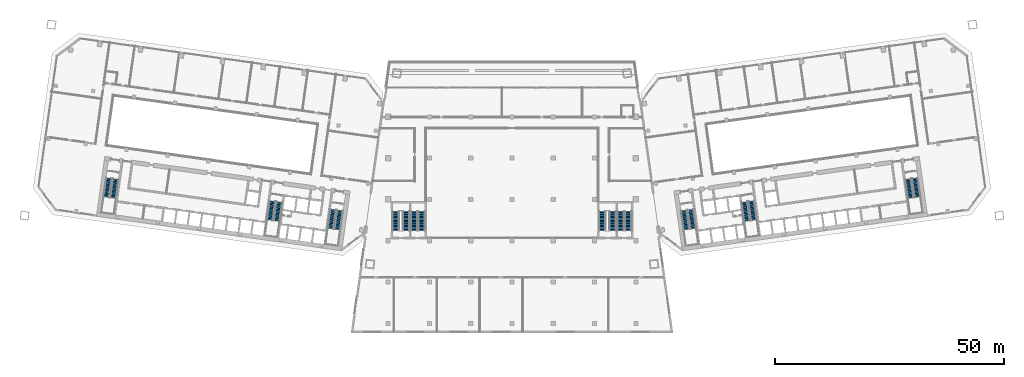
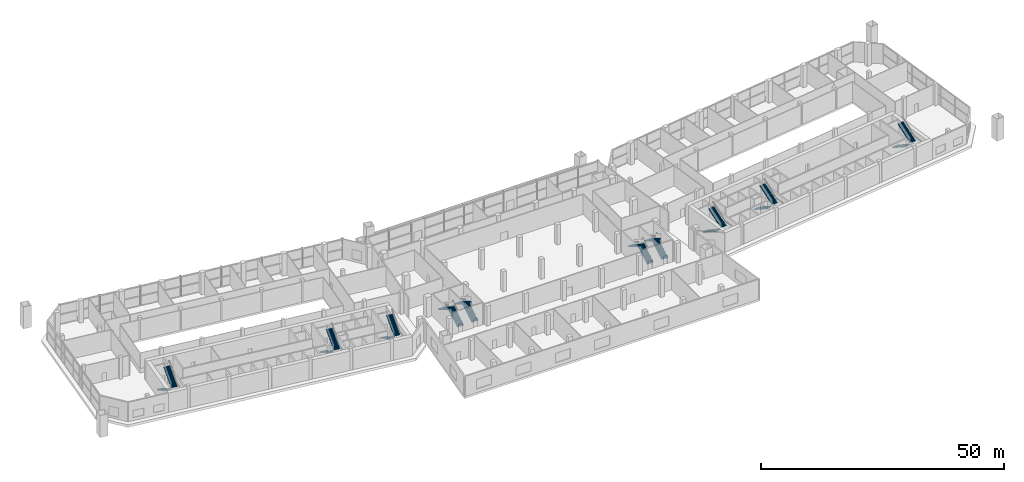
# One storey, part 19 of 23: 20 stair flights, 10 elements without a shape of their own.
"""IFC4 building model written with IfcOpenShell, lengths in metres."""

from ifc_helpers import new_model, si_unit, direction, frame, origin, place, context, subcontext, project, spatial, polyline, outline, extrude, material, type_object, element, aggregate, save


model = new_model("IFC4")

# Units and contexts
model_context = context("Model", 3, precision=1e-05, world=origin(), true_north=direction((0.0, 1.0)))
body_context = subcontext(model_context, "Body", "Model", "MODEL_VIEW")
ifc_project = project(units=[si_unit("LENGTHUNIT", "METRE"), si_unit("AREAUNIT", "SQUARE_METRE"), si_unit("VOLUMEUNIT", "CUBIC_METRE"), si_unit("PLANEANGLEUNIT", "RADIAN"), si_unit("MASSUNIT", "GRAM", prefix="KILO")], contexts=[model_context])

# Site, building, storey
site_placement = place(None, origin())
site = spatial("IfcSite", under=ifc_project, at=site_placement, CompositionType="ELEMENT")
building_placement = place(site_placement, origin())
building = spatial("IfcBuilding", under=site, at=building_placement, Name="Mirante Cascada Hotel Towers", CompositionType="ELEMENT")
storey_placement = place(building_placement, frame((0.0, 0.0, 23.5)))
storey = spatial("IfcBuildingStorey", under=building, at=storey_placement, Name="L03", CompositionType="ELEMENT", Elevation=23.5)

# Stair, stair flights
ifc_material_1 = material(Name="Concrete C35/45", Category="concrete")
stair_type_1 = type_object("IfcStairType", Name="Exit stair half-turn 1350 concrete C35/45", PredefinedType="HALF_TURN_STAIR", material=ifc_material_1)
stair_1_placement = place(storey_placement, origin())
stair_1 = element("IfcStair", 1, at=stair_1_placement, inside=storey, type_object=stair_type_1, Name="L03 Exit stair A", PredefinedType="HALF_TURN_STAIR")
ifc_material_2 = material(Name="Concrete C35/45", Category="concrete")
stair_flight_type_1 = type_object("IfcStairFlightType", Name="Exit stair flight 1350 concrete C35/45", PredefinedType="STRAIGHT", material=ifc_material_2)
stair_flight_1_placement = place(storey_placement, frame((-38.9417, -11.195, 0.0), z_axis=(0.0, 0.0, 1.0), x_axis=(-0.1391731, -0.9902681, 0.0)))
stair_flight_1 = element("IfcStairFlight", 2, at=stair_flight_1_placement, type_object=stair_flight_type_1, Name="ST1-A flight 1", NumberOfRisers=16, NumberOfTreads=15, PredefinedType="STRAIGHT", RiserHeight=0.171875, TreadLength=0.28, context=body_context, shape_type="SweptSolid", body=[
    extrude(outline(polyline([(0.0, 0.0), (0.0, 0.1719), (0.28, 0.1719), (0.28, 0.3438), (0.56, 0.3438), (0.56, 0.5156), (0.84, 0.5156), (0.84, 0.6875), (1.12, 0.6875), (1.12, 0.8594), (1.4, 0.8594), (1.4, 1.0312), (1.68, 1.0312), (1.68, 1.2031), (1.96, 1.2031), (1.96, 1.375), (2.24, 1.375), (2.24, 1.5469), (2.52, 1.5469), (2.52, 1.7188), (2.8, 1.7188), (2.8, 1.8906), (3.08, 1.8906), (3.08, 2.0625), (3.36, 2.0625), (3.36, 2.2344), (3.64, 2.2344), (3.64, 2.4062), (3.92, 2.4062), (3.92, 2.5781), (4.2, 2.5781), (4.2, 2.75), (4.2, 2.4021), (0.2867, 0.0), (0.0, 0.0)])), frame((0.0, 0.675, 0.0), z_axis=(0.0, -1.0, 0.0), x_axis=(1.0, 0.0, 0.0)), (0.0, 0.0, 1.0), 1.35),
])
stair_flight_2_placement = place(storey_placement, frame((-38.0408, -15.5629, 2.75), z_axis=(0.0, 0.0, 1.0), x_axis=(0.1391731, 0.9902681, 0.0)))
stair_flight_2 = element("IfcStairFlight", 3, at=stair_flight_2_placement, type_object=stair_flight_type_1, Name="ST1-A flight 2", NumberOfRisers=16, NumberOfTreads=15, PredefinedType="STRAIGHT", RiserHeight=0.171875, TreadLength=0.28, context=body_context, shape_type="SweptSolid", body=[
    extrude(outline(polyline([(0.0, 0.0), (0.0, 0.1719), (0.28, 0.1719), (0.28, 0.3438), (0.56, 0.3438), (0.56, 0.5156), (0.84, 0.5156), (0.84, 0.6875), (1.12, 0.6875), (1.12, 0.8594), (1.4, 0.8594), (1.4, 1.0312), (1.68, 1.0312), (1.68, 1.2031), (1.96, 1.2031), (1.96, 1.375), (2.24, 1.375), (2.24, 1.5469), (2.52, 1.5469), (2.52, 1.7188), (2.8, 1.7188), (2.8, 1.8906), (3.08, 1.8906), (3.08, 2.0625), (3.36, 2.0625), (3.36, 2.2344), (3.64, 2.2344), (3.64, 2.4062), (3.92, 2.4062), (3.92, 2.5781), (4.2, 2.5781), (4.2, 2.75), (4.2, 2.4021), (0.2867, 0.0), (0.0, 0.0)])), frame((0.0, 0.675, 0.0), z_axis=(0.0, -1.0, 0.0), x_axis=(1.0, 0.0, 0.0)), (0.0, 0.0, 1.0), 1.35),
])
aggregate(stair_1, [stair_flight_1, stair_flight_2])

stair_2_placement = place(storey_placement, origin())
stair_2 = element("IfcStair", 4, at=stair_2_placement, inside=storey, type_object=stair_type_1, Name="L03 Exit stair B", PredefinedType="HALF_TURN_STAIR")
stair_flight_3_placement = place(storey_placement, frame((-52.1618, -9.3371, 0.0), z_axis=(0.0, 0.0, 1.0), x_axis=(-0.1391731, -0.9902681, 0.0)))
stair_flight_3 = element("IfcStairFlight", 5, at=stair_flight_3_placement, type_object=stair_flight_type_1, Name="ST1-B flight 1", NumberOfRisers=16, NumberOfTreads=15, PredefinedType="STRAIGHT", RiserHeight=0.171875, TreadLength=0.28, context=body_context, shape_type="SweptSolid", body=[
    extrude(outline(polyline([(0.0, 0.0), (0.0, 0.1719), (0.28, 0.1719), (0.28, 0.3438), (0.56, 0.3438), (0.56, 0.5156), (0.84, 0.5156), (0.84, 0.6875), (1.12, 0.6875), (1.12, 0.8594), (1.4, 0.8594), (1.4, 1.0312), (1.68, 1.0312), (1.68, 1.2031), (1.96, 1.2031), (1.96, 1.375), (2.24, 1.375), (2.24, 1.5469), (2.52, 1.5469), (2.52, 1.7188), (2.8, 1.7188), (2.8, 1.8906), (3.08, 1.8906), (3.08, 2.0625), (3.36, 2.0625), (3.36, 2.2344), (3.64, 2.2344), (3.64, 2.4062), (3.92, 2.4062), (3.92, 2.5781), (4.2, 2.5781), (4.2, 2.75), (4.2, 2.4021), (0.2867, 0.0), (0.0, 0.0)])), frame((0.0, 0.675, 0.0), z_axis=(0.0, -1.0, 0.0), x_axis=(1.0, 0.0, 0.0)), (0.0, 0.0, 1.0), 1.35),
])
stair_flight_4_placement = place(storey_placement, frame((-51.2609, -13.705, 2.75), z_axis=(0.0, 0.0, 1.0), x_axis=(0.1391731, 0.9902681, 0.0)))
stair_flight_4 = element("IfcStairFlight", 6, at=stair_flight_4_placement, type_object=stair_flight_type_1, Name="ST1-B flight 2", NumberOfRisers=16, NumberOfTreads=15, PredefinedType="STRAIGHT", RiserHeight=0.171875, TreadLength=0.28, context=body_context, shape_type="SweptSolid", body=[
    extrude(outline(polyline([(0.0, 0.0), (0.0, 0.1719), (0.28, 0.1719), (0.28, 0.3438), (0.56, 0.3438), (0.56, 0.5156), (0.84, 0.5156), (0.84, 0.6875), (1.12, 0.6875), (1.12, 0.8594), (1.4, 0.8594), (1.4, 1.0312), (1.68, 1.0312), (1.68, 1.2031), (1.96, 1.2031), (1.96, 1.375), (2.24, 1.375), (2.24, 1.5469), (2.52, 1.5469), (2.52, 1.7188), (2.8, 1.7188), (2.8, 1.8906), (3.08, 1.8906), (3.08, 2.0625), (3.36, 2.0625), (3.36, 2.2344), (3.64, 2.2344), (3.64, 2.4062), (3.92, 2.4062), (3.92, 2.5781), (4.2, 2.5781), (4.2, 2.75), (4.2, 2.4021), (0.2867, 0.0), (0.0, 0.0)])), frame((0.0, 0.675, 0.0), z_axis=(0.0, -1.0, 0.0), x_axis=(1.0, 0.0, 0.0)), (0.0, 0.0, 1.0), 1.35),
])
aggregate(stair_2, [stair_flight_3, stair_flight_4])

stair_3_placement = place(storey_placement, origin())
stair_3 = element("IfcStair", 7, at=stair_3_placement, inside=storey, type_object=stair_type_1, Name="L03 Exit stair C", PredefinedType="HALF_TURN_STAIR")
stair_flight_5_placement = place(storey_placement, frame((-87.8115, -4.3268, 0.0), z_axis=(0.0, 0.0, 1.0), x_axis=(-0.1391731, -0.9902681, 0.0)))
stair_flight_5 = element("IfcStairFlight", 8, at=stair_flight_5_placement, type_object=stair_flight_type_1, Name="ST1-C flight 1", NumberOfRisers=16, NumberOfTreads=15, PredefinedType="STRAIGHT", RiserHeight=0.171875, TreadLength=0.28, context=body_context, shape_type="SweptSolid", body=[
    extrude(outline(polyline([(0.0, 0.0), (0.0, 0.1719), (0.28, 0.1719), (0.28, 0.3438), (0.56, 0.3438), (0.56, 0.5156), (0.84, 0.5156), (0.84, 0.6875), (1.12, 0.6875), (1.12, 0.8594), (1.4, 0.8594), (1.4, 1.0312), (1.68, 1.0312), (1.68, 1.2031), (1.96, 1.2031), (1.96, 1.375), (2.24, 1.375), (2.24, 1.5469), (2.52, 1.5469), (2.52, 1.7188), (2.8, 1.7188), (2.8, 1.8906), (3.08, 1.8906), (3.08, 2.0625), (3.36, 2.0625), (3.36, 2.2344), (3.64, 2.2344), (3.64, 2.4062), (3.92, 2.4062), (3.92, 2.5781), (4.2, 2.5781), (4.2, 2.75), (4.2, 2.4021), (0.2867, 0.0), (0.0, 0.0)])), frame((0.0, 0.675, 0.0), z_axis=(0.0, -1.0, 0.0), x_axis=(1.0, 0.0, 0.0)), (0.0, 0.0, 1.0), 1.35),
])
stair_flight_6_placement = place(storey_placement, frame((-86.9106, -8.6947, 2.75), z_axis=(0.0, 0.0, 1.0), x_axis=(0.1391731, 0.9902681, 0.0)))
stair_flight_6 = element("IfcStairFlight", 9, at=stair_flight_6_placement, type_object=stair_flight_type_1, Name="ST1-C flight 2", NumberOfRisers=16, NumberOfTreads=15, PredefinedType="STRAIGHT", RiserHeight=0.171875, TreadLength=0.28, context=body_context, shape_type="SweptSolid", body=[
    extrude(outline(polyline([(0.0, 0.0), (0.0, 0.1719), (0.28, 0.1719), (0.28, 0.3438), (0.56, 0.3438), (0.56, 0.5156), (0.84, 0.5156), (0.84, 0.6875), (1.12, 0.6875), (1.12, 0.8594), (1.4, 0.8594), (1.4, 1.0312), (1.68, 1.0312), (1.68, 1.2031), (1.96, 1.2031), (1.96, 1.375), (2.24, 1.375), (2.24, 1.5469), (2.52, 1.5469), (2.52, 1.7188), (2.8, 1.7188), (2.8, 1.8906), (3.08, 1.8906), (3.08, 2.0625), (3.36, 2.0625), (3.36, 2.2344), (3.64, 2.2344), (3.64, 2.4062), (3.92, 2.4062), (3.92, 2.5781), (4.2, 2.5781), (4.2, 2.75), (4.2, 2.4021), (0.2867, 0.0), (0.0, 0.0)])), frame((0.0, 0.675, 0.0), z_axis=(0.0, -1.0, 0.0), x_axis=(1.0, 0.0, 0.0)), (0.0, 0.0, 1.0), 1.35),
])
aggregate(stair_3, [stair_flight_5, stair_flight_6])

stair_4_placement = place(storey_placement, origin())
stair_4 = element("IfcStair", 10, at=stair_4_placement, inside=storey, type_object=stair_type_1, Name="L03 Exit stair A", PredefinedType="HALF_TURN_STAIR")
stair_flight_7_placement = place(storey_placement, frame((37.4563, -11.4038, 0.0), z_axis=(0.0, 0.0, 1.0), x_axis=(0.1391731, -0.9902681, 0.0)))
stair_flight_7 = element("IfcStairFlight", 11, at=stair_flight_7_placement, type_object=stair_flight_type_1, Name="ST2-A flight 1", NumberOfRisers=16, NumberOfTreads=15, PredefinedType="STRAIGHT", RiserHeight=0.171875, TreadLength=0.28, context=body_context, shape_type="SweptSolid", body=[
    extrude(outline(polyline([(0.0, 0.0), (0.0, 0.1719), (0.28, 0.1719), (0.28, 0.3438), (0.56, 0.3438), (0.56, 0.5156), (0.84, 0.5156), (0.84, 0.6875), (1.12, 0.6875), (1.12, 0.8594), (1.4, 0.8594), (1.4, 1.0312), (1.68, 1.0312), (1.68, 1.2031), (1.96, 1.2031), (1.96, 1.375), (2.24, 1.375), (2.24, 1.5469), (2.52, 1.5469), (2.52, 1.7188), (2.8, 1.7188), (2.8, 1.8906), (3.08, 1.8906), (3.08, 2.0625), (3.36, 2.0625), (3.36, 2.2344), (3.64, 2.2344), (3.64, 2.4062), (3.92, 2.4062), (3.92, 2.5781), (4.2, 2.5781), (4.2, 2.75), (4.2, 2.4021), (0.2867, 0.0), (0.0, 0.0)])), frame((0.0, 0.675, 0.0), z_axis=(0.0, -1.0, 0.0), x_axis=(1.0, 0.0, 0.0)), (0.0, 0.0, 1.0), 1.35),
])
stair_flight_8_placement = place(storey_placement, frame((39.5262, -15.3542, 2.75), z_axis=(0.0, 0.0, 1.0), x_axis=(-0.1391731, 0.9902681, 0.0)))
stair_flight_8 = element("IfcStairFlight", 12, at=stair_flight_8_placement, type_object=stair_flight_type_1, Name="ST2-A flight 2", NumberOfRisers=16, NumberOfTreads=15, PredefinedType="STRAIGHT", RiserHeight=0.171875, TreadLength=0.28, context=body_context, shape_type="SweptSolid", body=[
    extrude(outline(polyline([(0.0, 0.0), (0.0, 0.1719), (0.28, 0.1719), (0.28, 0.3438), (0.56, 0.3438), (0.56, 0.5156), (0.84, 0.5156), (0.84, 0.6875), (1.12, 0.6875), (1.12, 0.8594), (1.4, 0.8594), (1.4, 1.0312), (1.68, 1.0312), (1.68, 1.2031), (1.96, 1.2031), (1.96, 1.375), (2.24, 1.375), (2.24, 1.5469), (2.52, 1.5469), (2.52, 1.7188), (2.8, 1.7188), (2.8, 1.8906), (3.08, 1.8906), (3.08, 2.0625), (3.36, 2.0625), (3.36, 2.2344), (3.64, 2.2344), (3.64, 2.4062), (3.92, 2.4062), (3.92, 2.5781), (4.2, 2.5781), (4.2, 2.75), (4.2, 2.4021), (0.2867, 0.0), (0.0, 0.0)])), frame((0.0, 0.675, 0.0), z_axis=(0.0, -1.0, 0.0), x_axis=(1.0, 0.0, 0.0)), (0.0, 0.0, 1.0), 1.35),
])
aggregate(stair_4, [stair_flight_7, stair_flight_8])

stair_5_placement = place(storey_placement, origin())
stair_5 = element("IfcStair", 13, at=stair_5_placement, inside=storey, type_object=stair_type_1, Name="L03 Exit stair B", PredefinedType="HALF_TURN_STAIR")
stair_flight_9_placement = place(storey_placement, frame((50.6764, -9.5458, 0.0), z_axis=(0.0, 0.0, 1.0), x_axis=(0.1391731, -0.9902681, 0.0)))
stair_flight_9 = element("IfcStairFlight", 14, at=stair_flight_9_placement, type_object=stair_flight_type_1, Name="ST2-B flight 1", NumberOfRisers=16, NumberOfTreads=15, PredefinedType="STRAIGHT", RiserHeight=0.171875, TreadLength=0.28, context=body_context, shape_type="SweptSolid", body=[
    extrude(outline(polyline([(0.0, 0.0), (0.0, 0.1719), (0.28, 0.1719), (0.28, 0.3438), (0.56, 0.3438), (0.56, 0.5156), (0.84, 0.5156), (0.84, 0.6875), (1.12, 0.6875), (1.12, 0.8594), (1.4, 0.8594), (1.4, 1.0312), (1.68, 1.0312), (1.68, 1.2031), (1.96, 1.2031), (1.96, 1.375), (2.24, 1.375), (2.24, 1.5469), (2.52, 1.5469), (2.52, 1.7188), (2.8, 1.7188), (2.8, 1.8906), (3.08, 1.8906), (3.08, 2.0625), (3.36, 2.0625), (3.36, 2.2344), (3.64, 2.2344), (3.64, 2.4062), (3.92, 2.4062), (3.92, 2.5781), (4.2, 2.5781), (4.2, 2.75), (4.2, 2.4021), (0.2867, 0.0), (0.0, 0.0)])), frame((0.0, 0.675, 0.0), z_axis=(0.0, -1.0, 0.0), x_axis=(1.0, 0.0, 0.0)), (0.0, 0.0, 1.0), 1.35),
])
stair_flight_10_placement = place(storey_placement, frame((52.7463, -13.4962, 2.75), z_axis=(0.0, 0.0, 1.0), x_axis=(-0.1391731, 0.9902681, 0.0)))
stair_flight_10 = element("IfcStairFlight", 15, at=stair_flight_10_placement, type_object=stair_flight_type_1, Name="ST2-B flight 2", NumberOfRisers=16, NumberOfTreads=15, PredefinedType="STRAIGHT", RiserHeight=0.171875, TreadLength=0.28, context=body_context, shape_type="SweptSolid", body=[
    extrude(outline(polyline([(0.0, 0.0), (0.0, 0.1719), (0.28, 0.1719), (0.28, 0.3438), (0.56, 0.3438), (0.56, 0.5156), (0.84, 0.5156), (0.84, 0.6875), (1.12, 0.6875), (1.12, 0.8594), (1.4, 0.8594), (1.4, 1.0312), (1.68, 1.0312), (1.68, 1.2031), (1.96, 1.2031), (1.96, 1.375), (2.24, 1.375), (2.24, 1.5469), (2.52, 1.5469), (2.52, 1.7188), (2.8, 1.7188), (2.8, 1.8906), (3.08, 1.8906), (3.08, 2.0625), (3.36, 2.0625), (3.36, 2.2344), (3.64, 2.2344), (3.64, 2.4062), (3.92, 2.4062), (3.92, 2.5781), (4.2, 2.5781), (4.2, 2.75), (4.2, 2.4021), (0.2867, 0.0), (0.0, 0.0)])), frame((0.0, 0.675, 0.0), z_axis=(0.0, -1.0, 0.0), x_axis=(1.0, 0.0, 0.0)), (0.0, 0.0, 1.0), 1.35),
])
aggregate(stair_5, [stair_flight_9, stair_flight_10])

stair_6_placement = place(storey_placement, origin())
stair_6 = element("IfcStair", 16, at=stair_6_placement, inside=storey, type_object=stair_type_1, Name="L03 Exit stair C", PredefinedType="HALF_TURN_STAIR")
stair_flight_11_placement = place(storey_placement, frame((86.326, -4.5356, 0.0), z_axis=(0.0, 0.0, 1.0), x_axis=(0.1391731, -0.9902681, 0.0)))
stair_flight_11 = element("IfcStairFlight", 17, at=stair_flight_11_placement, type_object=stair_flight_type_1, Name="ST2-C flight 1", NumberOfRisers=16, NumberOfTreads=15, PredefinedType="STRAIGHT", RiserHeight=0.171875, TreadLength=0.28, context=body_context, shape_type="SweptSolid", body=[
    extrude(outline(polyline([(0.0, 0.0), (0.0, 0.1719), (0.28, 0.1719), (0.28, 0.3438), (0.56, 0.3438), (0.56, 0.5156), (0.84, 0.5156), (0.84, 0.6875), (1.12, 0.6875), (1.12, 0.8594), (1.4, 0.8594), (1.4, 1.0312), (1.68, 1.0312), (1.68, 1.2031), (1.96, 1.2031), (1.96, 1.375), (2.24, 1.375), (2.24, 1.5469), (2.52, 1.5469), (2.52, 1.7188), (2.8, 1.7188), (2.8, 1.8906), (3.08, 1.8906), (3.08, 2.0625), (3.36, 2.0625), (3.36, 2.2344), (3.64, 2.2344), (3.64, 2.4062), (3.92, 2.4062), (3.92, 2.5781), (4.2, 2.5781), (4.2, 2.75), (4.2, 2.4021), (0.2867, 0.0), (0.0, 0.0)])), frame((0.0, 0.675, 0.0), z_axis=(0.0, -1.0, 0.0), x_axis=(1.0, 0.0, 0.0)), (0.0, 0.0, 1.0), 1.35),
])
stair_flight_12_placement = place(storey_placement, frame((88.396, -8.486, 2.75), z_axis=(0.0, 0.0, 1.0), x_axis=(-0.1391731, 0.9902681, 0.0)))
stair_flight_12 = element("IfcStairFlight", 18, at=stair_flight_12_placement, type_object=stair_flight_type_1, Name="ST2-C flight 2", NumberOfRisers=16, NumberOfTreads=15, PredefinedType="STRAIGHT", RiserHeight=0.171875, TreadLength=0.28, context=body_context, shape_type="SweptSolid", body=[
    extrude(outline(polyline([(0.0, 0.0), (0.0, 0.1719), (0.28, 0.1719), (0.28, 0.3438), (0.56, 0.3438), (0.56, 0.5156), (0.84, 0.5156), (0.84, 0.6875), (1.12, 0.6875), (1.12, 0.8594), (1.4, 0.8594), (1.4, 1.0312), (1.68, 1.0312), (1.68, 1.2031), (1.96, 1.2031), (1.96, 1.375), (2.24, 1.375), (2.24, 1.5469), (2.52, 1.5469), (2.52, 1.7188), (2.8, 1.7188), (2.8, 1.8906), (3.08, 1.8906), (3.08, 2.0625), (3.36, 2.0625), (3.36, 2.2344), (3.64, 2.2344), (3.64, 2.4062), (3.92, 2.4062), (3.92, 2.5781), (4.2, 2.5781), (4.2, 2.75), (4.2, 2.4021), (0.2867, 0.0), (0.0, 0.0)])), frame((0.0, 0.675, 0.0), z_axis=(0.0, -1.0, 0.0), x_axis=(1.0, 0.0, 0.0)), (0.0, 0.0, 1.0), 1.35),
])
aggregate(stair_6, [stair_flight_11, stair_flight_12])

ifc_material_3 = material(Name="Concrete C35/45", Category="concrete")
stair_type_2 = type_object("IfcStairType", Name="Podium exit stair half-turn 1500 concrete C35/45", PredefinedType="HALF_TURN_STAIR", material=ifc_material_3)
stair_7_placement = place(storey_placement, origin())
stair_7 = element("IfcStair", 19, at=stair_7_placement, inside=storey, type_object=stair_type_2, Name="L03 Podium exit stair 3", PredefinedType="HALF_TURN_STAIR")
ifc_material_4 = material(Name="Concrete C35/45", Category="concrete")
stair_flight_type_2 = type_object("IfcStairFlightType", Name="Podium exit stair flight 1500 concrete C35/45", PredefinedType="STRAIGHT", material=ifc_material_4)
stair_flight_13_placement = place(storey_placement, frame((-19.675, -15.775, 0.0), z_axis=(0.0, 0.0, 1.0), x_axis=(0.0, 1.0, 0.0)))
stair_flight_13 = element("IfcStairFlight", 20, at=stair_flight_13_placement, type_object=stair_flight_type_2, Name="PS1 flight 1", NumberOfRisers=16, NumberOfTreads=15, PredefinedType="STRAIGHT", RiserHeight=0.171875, TreadLength=0.28, context=body_context, shape_type="SweptSolid", body=[
    extrude(outline(polyline([(0.0, 0.0), (0.0, 0.1719), (0.28, 0.1719), (0.28, 0.3438), (0.56, 0.3438), (0.56, 0.5156), (0.84, 0.5156), (0.84, 0.6875), (1.12, 0.6875), (1.12, 0.8594), (1.4, 0.8594), (1.4, 1.0312), (1.68, 1.0312), (1.68, 1.2031), (1.96, 1.2031), (1.96, 1.375), (2.24, 1.375), (2.24, 1.5469), (2.52, 1.5469), (2.52, 1.7188), (2.8, 1.7188), (2.8, 1.8906), (3.08, 1.8906), (3.08, 2.0625), (3.36, 2.0625), (3.36, 2.2344), (3.64, 2.2344), (3.64, 2.4062), (3.92, 2.4062), (3.92, 2.5781), (4.2, 2.5781), (4.2, 2.75), (4.2, 2.4021), (0.2867, 0.0), (0.0, 0.0)])), frame((0.0, 0.75, 0.0), z_axis=(0.0, -1.0, 0.0), x_axis=(1.0, 0.0, 0.0)), (0.0, 0.0, 1.0), 1.5),
])
stair_flight_14_placement = place(storey_placement, frame((-21.325, -11.575, 2.75), z_axis=(0.0, 0.0, 1.0), x_axis=(0.0, -1.0, 0.0)))
stair_flight_14 = element("IfcStairFlight", 21, at=stair_flight_14_placement, type_object=stair_flight_type_2, Name="PS1 flight 2", NumberOfRisers=16, NumberOfTreads=15, PredefinedType="STRAIGHT", RiserHeight=0.171875, TreadLength=0.28, context=body_context, shape_type="SweptSolid", body=[
    extrude(outline(polyline([(0.0, 0.0), (0.0, 0.1719), (0.28, 0.1719), (0.28, 0.3438), (0.56, 0.3438), (0.56, 0.5156), (0.84, 0.5156), (0.84, 0.6875), (1.12, 0.6875), (1.12, 0.8594), (1.4, 0.8594), (1.4, 1.0312), (1.68, 1.0312), (1.68, 1.2031), (1.96, 1.2031), (1.96, 1.375), (2.24, 1.375), (2.24, 1.5469), (2.52, 1.5469), (2.52, 1.7188), (2.8, 1.7188), (2.8, 1.8906), (3.08, 1.8906), (3.08, 2.0625), (3.36, 2.0625), (3.36, 2.2344), (3.64, 2.2344), (3.64, 2.4062), (3.92, 2.4062), (3.92, 2.5781), (4.2, 2.5781), (4.2, 2.75), (4.2, 2.4021), (0.2867, 0.0), (0.0, 0.0)])), frame((0.0, 0.75, 0.0), z_axis=(0.0, -1.0, 0.0), x_axis=(1.0, 0.0, 0.0)), (0.0, 0.0, 1.0), 1.5),
])
aggregate(stair_7, [stair_flight_13, stair_flight_14])

stair_8_placement = place(storey_placement, origin())
stair_8 = element("IfcStair", 22, at=stair_8_placement, inside=storey, type_object=stair_type_2, Name="L03 Podium exit stair 5", PredefinedType="HALF_TURN_STAIR")
stair_flight_15_placement = place(storey_placement, frame((-23.075, -15.775, 0.0), z_axis=(0.0, 0.0, 1.0), x_axis=(0.0, 1.0, 0.0)))
stair_flight_15 = element("IfcStairFlight", 23, at=stair_flight_15_placement, type_object=stair_flight_type_2, Name="PS3 flight 1", NumberOfRisers=16, NumberOfTreads=15, PredefinedType="STRAIGHT", RiserHeight=0.171875, TreadLength=0.28, context=body_context, shape_type="SweptSolid", body=[
    extrude(outline(polyline([(0.0, 0.0), (0.0, 0.1719), (0.28, 0.1719), (0.28, 0.3438), (0.56, 0.3438), (0.56, 0.5156), (0.84, 0.5156), (0.84, 0.6875), (1.12, 0.6875), (1.12, 0.8594), (1.4, 0.8594), (1.4, 1.0312), (1.68, 1.0312), (1.68, 1.2031), (1.96, 1.2031), (1.96, 1.375), (2.24, 1.375), (2.24, 1.5469), (2.52, 1.5469), (2.52, 1.7188), (2.8, 1.7188), (2.8, 1.8906), (3.08, 1.8906), (3.08, 2.0625), (3.36, 2.0625), (3.36, 2.2344), (3.64, 2.2344), (3.64, 2.4062), (3.92, 2.4062), (3.92, 2.5781), (4.2, 2.5781), (4.2, 2.75), (4.2, 2.4021), (0.2867, 0.0), (0.0, 0.0)])), frame((0.0, 0.75, 0.0), z_axis=(0.0, -1.0, 0.0), x_axis=(1.0, 0.0, 0.0)), (0.0, 0.0, 1.0), 1.5),
])
stair_flight_16_placement = place(storey_placement, frame((-25.325, -11.575, 2.75), z_axis=(0.0, 0.0, 1.0), x_axis=(0.0, -1.0, 0.0)))
stair_flight_16 = element("IfcStairFlight", 24, at=stair_flight_16_placement, type_object=stair_flight_type_2, Name="PS3 flight 2", NumberOfRisers=16, NumberOfTreads=15, PredefinedType="STRAIGHT", RiserHeight=0.171875, TreadLength=0.28, context=body_context, shape_type="SweptSolid", body=[
    extrude(outline(polyline([(0.0, 0.0), (0.0, 0.1719), (0.28, 0.1719), (0.28, 0.3438), (0.56, 0.3438), (0.56, 0.5156), (0.84, 0.5156), (0.84, 0.6875), (1.12, 0.6875), (1.12, 0.8594), (1.4, 0.8594), (1.4, 1.0312), (1.68, 1.0312), (1.68, 1.2031), (1.96, 1.2031), (1.96, 1.375), (2.24, 1.375), (2.24, 1.5469), (2.52, 1.5469), (2.52, 1.7188), (2.8, 1.7188), (2.8, 1.8906), (3.08, 1.8906), (3.08, 2.0625), (3.36, 2.0625), (3.36, 2.2344), (3.64, 2.2344), (3.64, 2.4062), (3.92, 2.4062), (3.92, 2.5781), (4.2, 2.5781), (4.2, 2.75), (4.2, 2.4021), (0.2867, 0.0), (0.0, 0.0)])), frame((0.0, 0.75, 0.0), z_axis=(0.0, -1.0, 0.0), x_axis=(1.0, 0.0, 0.0)), (0.0, 0.0, 1.0), 1.5),
])
aggregate(stair_8, [stair_flight_15, stair_flight_16])

stair_9_placement = place(storey_placement, origin())
stair_9 = element("IfcStair", 25, at=stair_9_placement, inside=storey, type_object=stair_type_2, Name="L03 Podium exit stair 4", PredefinedType="HALF_TURN_STAIR")
stair_flight_17_placement = place(storey_placement, frame((25.325, -15.775, 0.0), z_axis=(0.0, 0.0, 1.0), x_axis=(0.0, 1.0, 0.0)))
stair_flight_17 = element("IfcStairFlight", 26, at=stair_flight_17_placement, type_object=stair_flight_type_2, Name="PS2 flight 1", NumberOfRisers=16, NumberOfTreads=15, PredefinedType="STRAIGHT", RiserHeight=0.171875, TreadLength=0.28, context=body_context, shape_type="SweptSolid", body=[
    extrude(outline(polyline([(0.0, 0.0), (0.0, 0.1719), (0.28, 0.1719), (0.28, 0.3438), (0.56, 0.3438), (0.56, 0.5156), (0.84, 0.5156), (0.84, 0.6875), (1.12, 0.6875), (1.12, 0.8594), (1.4, 0.8594), (1.4, 1.0312), (1.68, 1.0312), (1.68, 1.2031), (1.96, 1.2031), (1.96, 1.375), (2.24, 1.375), (2.24, 1.5469), (2.52, 1.5469), (2.52, 1.7188), (2.8, 1.7188), (2.8, 1.8906), (3.08, 1.8906), (3.08, 2.0625), (3.36, 2.0625), (3.36, 2.2344), (3.64, 2.2344), (3.64, 2.4062), (3.92, 2.4062), (3.92, 2.5781), (4.2, 2.5781), (4.2, 2.75), (4.2, 2.4021), (0.2867, 0.0), (0.0, 0.0)])), frame((0.0, 0.75, 0.0), z_axis=(0.0, -1.0, 0.0), x_axis=(1.0, 0.0, 0.0)), (0.0, 0.0, 1.0), 1.5),
])
stair_flight_18_placement = place(storey_placement, frame((23.675, -11.575, 2.75), z_axis=(0.0, 0.0, 1.0), x_axis=(0.0, -1.0, 0.0)))
stair_flight_18 = element("IfcStairFlight", 27, at=stair_flight_18_placement, type_object=stair_flight_type_2, Name="PS2 flight 2", NumberOfRisers=16, NumberOfTreads=15, PredefinedType="STRAIGHT", RiserHeight=0.171875, TreadLength=0.28, context=body_context, shape_type="SweptSolid", body=[
    extrude(outline(polyline([(0.0, 0.0), (0.0, 0.1719), (0.28, 0.1719), (0.28, 0.3438), (0.56, 0.3438), (0.56, 0.5156), (0.84, 0.5156), (0.84, 0.6875), (1.12, 0.6875), (1.12, 0.8594), (1.4, 0.8594), (1.4, 1.0312), (1.68, 1.0312), (1.68, 1.2031), (1.96, 1.2031), (1.96, 1.375), (2.24, 1.375), (2.24, 1.5469), (2.52, 1.5469), (2.52, 1.7188), (2.8, 1.7188), (2.8, 1.8906), (3.08, 1.8906), (3.08, 2.0625), (3.36, 2.0625), (3.36, 2.2344), (3.64, 2.2344), (3.64, 2.4062), (3.92, 2.4062), (3.92, 2.5781), (4.2, 2.5781), (4.2, 2.75), (4.2, 2.4021), (0.2867, 0.0), (0.0, 0.0)])), frame((0.0, 0.75, 0.0), z_axis=(0.0, -1.0, 0.0), x_axis=(1.0, 0.0, 0.0)), (0.0, 0.0, 1.0), 1.5),
])
aggregate(stair_9, [stair_flight_17, stair_flight_18])

stair_10_placement = place(storey_placement, origin())
stair_10 = element("IfcStair", 28, at=stair_10_placement, inside=storey, type_object=stair_type_2, Name="L03 Podium exit stair 6", PredefinedType="HALF_TURN_STAIR")
stair_flight_19_placement = place(storey_placement, frame((21.925, -15.775, 0.0), z_axis=(0.0, 0.0, 1.0), x_axis=(0.0, 1.0, 0.0)))
stair_flight_19 = element("IfcStairFlight", 29, at=stair_flight_19_placement, type_object=stair_flight_type_2, Name="PS4 flight 1", NumberOfRisers=16, NumberOfTreads=15, PredefinedType="STRAIGHT", RiserHeight=0.171875, TreadLength=0.28, context=body_context, shape_type="SweptSolid", body=[
    extrude(outline(polyline([(0.0, 0.0), (0.0, 0.1719), (0.28, 0.1719), (0.28, 0.3438), (0.56, 0.3438), (0.56, 0.5156), (0.84, 0.5156), (0.84, 0.6875), (1.12, 0.6875), (1.12, 0.8594), (1.4, 0.8594), (1.4, 1.0312), (1.68, 1.0312), (1.68, 1.2031), (1.96, 1.2031), (1.96, 1.375), (2.24, 1.375), (2.24, 1.5469), (2.52, 1.5469), (2.52, 1.7188), (2.8, 1.7188), (2.8, 1.8906), (3.08, 1.8906), (3.08, 2.0625), (3.36, 2.0625), (3.36, 2.2344), (3.64, 2.2344), (3.64, 2.4062), (3.92, 2.4062), (3.92, 2.5781), (4.2, 2.5781), (4.2, 2.75), (4.2, 2.4021), (0.2867, 0.0), (0.0, 0.0)])), frame((0.0, 0.75, 0.0), z_axis=(0.0, -1.0, 0.0), x_axis=(1.0, 0.0, 0.0)), (0.0, 0.0, 1.0), 1.5),
])
stair_flight_20_placement = place(storey_placement, frame((19.675, -11.575, 2.75), z_axis=(0.0, 0.0, 1.0), x_axis=(0.0, -1.0, 0.0)))
stair_flight_20 = element("IfcStairFlight", 30, at=stair_flight_20_placement, type_object=stair_flight_type_2, Name="PS4 flight 2", NumberOfRisers=16, NumberOfTreads=15, PredefinedType="STRAIGHT", RiserHeight=0.171875, TreadLength=0.28, context=body_context, shape_type="SweptSolid", body=[
    extrude(outline(polyline([(0.0, 0.0), (0.0, 0.1719), (0.28, 0.1719), (0.28, 0.3438), (0.56, 0.3438), (0.56, 0.5156), (0.84, 0.5156), (0.84, 0.6875), (1.12, 0.6875), (1.12, 0.8594), (1.4, 0.8594), (1.4, 1.0312), (1.68, 1.0312), (1.68, 1.2031), (1.96, 1.2031), (1.96, 1.375), (2.24, 1.375), (2.24, 1.5469), (2.52, 1.5469), (2.52, 1.7188), (2.8, 1.7188), (2.8, 1.8906), (3.08, 1.8906), (3.08, 2.0625), (3.36, 2.0625), (3.36, 2.2344), (3.64, 2.2344), (3.64, 2.4062), (3.92, 2.4062), (3.92, 2.5781), (4.2, 2.5781), (4.2, 2.75), (4.2, 2.4021), (0.2867, 0.0), (0.0, 0.0)])), frame((0.0, 0.75, 0.0), z_axis=(0.0, -1.0, 0.0), x_axis=(1.0, 0.0, 0.0)), (0.0, 0.0, 1.0), 1.5),
])
aggregate(stair_10, [stair_flight_19, stair_flight_20])

save(model, "model.ifc")
